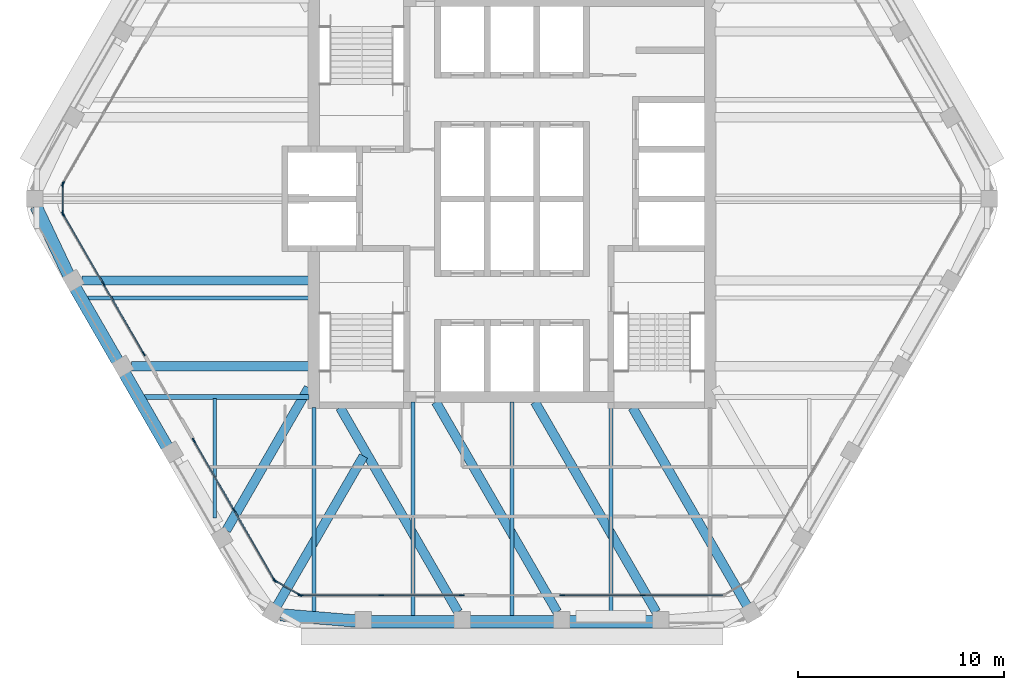
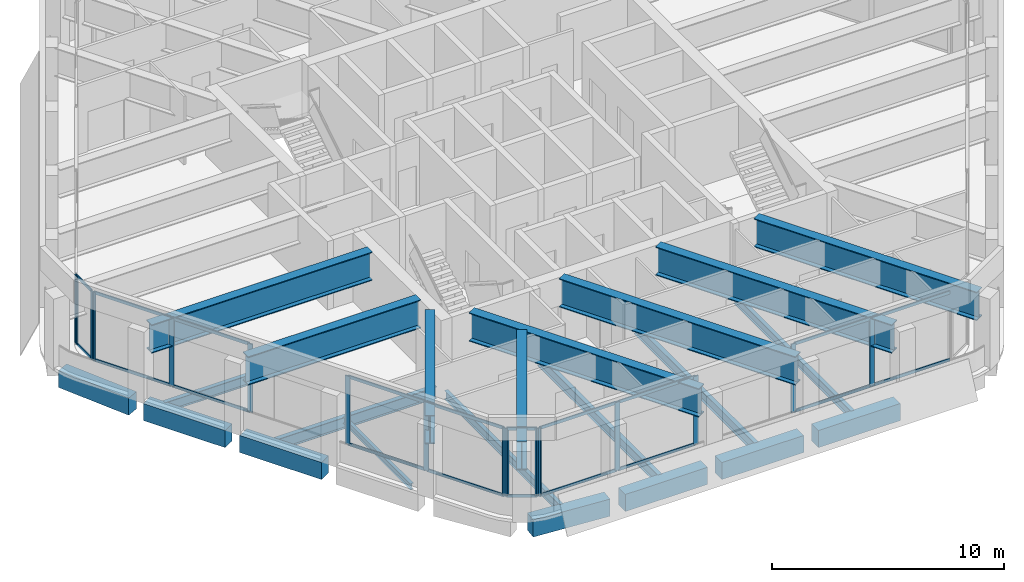
# One storey, part 2 of 14: 36 members, 22 beams, 7 elements without a shape of their own.
"""IFC4 building model written with IfcOpenShell, lengths in metres."""

from ifc_helpers import new_model, si_unit, direction, frame, origin, origin_2d, place, context, subcontext, project, spatial, rectangle, i_section, extrude, material, material_profile, profile_set, type_object, element, aggregate, save


model = new_model("IFC4")

# Units and contexts
model_context = context("Model", 3, precision=1e-05, world=origin(), true_north=direction((0.0, 1.0)))
body_context = subcontext(model_context, "Body", "Model", "MODEL_VIEW")
ifc_project = project(units=[si_unit("LENGTHUNIT", "METRE"), si_unit("AREAUNIT", "SQUARE_METRE"), si_unit("VOLUMEUNIT", "CUBIC_METRE"), si_unit("PLANEANGLEUNIT", "RADIAN"), si_unit("MASSUNIT", "GRAM", prefix="KILO")], contexts=[model_context])

# Site, building, storey
site_placement = place(None, origin())
site = spatial("IfcSite", under=ifc_project, at=site_placement, CompositionType="ELEMENT")
building_placement = place(site_placement, origin())
building = spatial("IfcBuilding", under=site, at=building_placement, Name="Kolab Exchange Tower", CompositionType="ELEMENT")
storey_placement = place(building_placement, frame((0.0, 0.0, 293.0)))
storey = spatial("IfcBuildingStorey", under=building, at=storey_placement, Name="L66", CompositionType="ELEMENT", Elevation=293.0)

# Beams
ifc_material_1 = material(Name="Steel S355", Category="steel")
ifc_material_profile_1 = material_profile(ifc_material_1, i_section(OverallWidth=0.1650390625, OverallDepth=0.31005859375, WebThickness=0.005859375, FlangeThickness=0.009765625, at=origin_2d()), Name="W310X39")
ifc_profile_set_1 = profile_set([ifc_material_profile_1], Name="Steel S355")
beam_type_1 = type_object("IfcBeamType", Name="FLOOR BEAM W310X39", PredefinedType="BEAM", material=ifc_profile_set_1)
beam_1_placement = place(storey_placement, frame((-14.39990234375, -15.4677734375, -0.304931640625), z_axis=(0.0, 1.0, 0.0), x_axis=(-1.0, 0.0, 0.0)))
element("IfcBeam", 1, at=beam_1_placement, inside=storey, type_object=beam_type_1, Name="beam/L66/fr/003", PredefinedType="BEAM", context=body_context, shape_type="SweptSolid", body=[
    extrude(i_section(OverallWidth=0.1650390625, OverallDepth=0.31005859375, WebThickness=0.005859375, FlangeThickness=0.009765625, at=origin_2d()), origin(), (0.0, 0.0, 1.0), 5.793701171875),
])
ifc_material_profile_2 = material_profile(ifc_material_1, i_section(OverallWidth=0.18994140625, OverallDepth=0.45703125, WebThickness=0.009033203125, FlangeThickness=0.014404296875, at=origin_2d()), Name="W460X74")
ifc_profile_set_2 = profile_set([ifc_material_profile_2], Name="Steel S355")
beam_type_2 = type_object("IfcBeamType", Name="FLOOR BEAM W460X74", PredefinedType="BEAM", material=ifc_profile_set_2)
beam_2_placement = place(storey_placement, frame((-9.60009765625, -20.027099609375, -0.37841796875), z_axis=(0.0, 1.0, 0.0), x_axis=(-1.0, 0.0, 0.0)))
element("IfcBeam", 2, at=beam_2_placement, inside=storey, type_object=beam_type_2, Name="beam/L66/fr/005", PredefinedType="BEAM", context=body_context, shape_type="SweptSolid", body=[
    extrude(i_section(OverallWidth=0.18994140625, OverallDepth=0.45703125, WebThickness=0.009033203125, FlangeThickness=0.014404296875, at=origin_2d()), origin(), (0.0, 0.0, 1.0), 9.9169921875),
])
beam_3_placement = place(storey_placement, frame((4.800048828125, -20.224609375, -0.37841796875), z_axis=(0.0, 1.0, 0.0), x_axis=(-1.0, 0.0, 0.0)))
element("IfcBeam", 3, at=beam_3_placement, inside=storey, type_object=beam_type_2, Name="beam/L66/fr/011", PredefinedType="BEAM", context=body_context, shape_type="SweptSolid", body=[
    extrude(i_section(OverallWidth=0.18994140625, OverallDepth=0.45703125, WebThickness=0.009033203125, FlangeThickness=0.014404296875, at=origin_2d()), origin(), (0.0, 0.0, 1.0), 10.114501953125),
])
ifc_material_profile_3 = material_profile(ifc_material_1, i_section(OverallWidth=0.208984375, OverallDepth=0.532958984375, WebThickness=0.01025390625, FlangeThickness=0.015625, at=origin_2d()), Name="W530X92")
ifc_profile_set_3 = profile_set([ifc_material_profile_3], Name="Steel S355")
beam_type_3 = type_object("IfcBeamType", Name="FLOOR BEAM W530X92", PredefinedType="BEAM", material=ifc_profile_set_3)
beam_4_placement = place(storey_placement, frame((-20.575927734375, -4.800048828125, -0.41650390625), z_axis=(1.0, 0.0, 0.0), x_axis=(0.0, 1.0, 0.0)))
element("IfcBeam", 4, at=beam_4_placement, inside=storey, type_object=beam_type_3, Name="beam/L66/fr/001", PredefinedType="BEAM", context=body_context, shape_type="SweptSolid", body=[
    extrude(i_section(OverallWidth=0.208984375, OverallDepth=0.532958984375, WebThickness=0.01025390625, FlangeThickness=0.015625, at=origin_2d()), origin(), (0.0, 0.0, 1.0), 10.740966796875),
])
for number, where, z_axis, x_axis, name in (
    (5, (-4.800048828125, -20.224609375, -0.41650390625), (0.0, 1.0, 0.0), (-1.0, 0.0, 0.0), "beam/L66/fr/007"),
    (6, (0.0, -20.224609375, -0.41650390625), (0.0, 1.0, 0.0), (-1.0, 0.0, 0.0), "beam/L66/fr/009"),
):
    element("IfcBeam", number, at=place(storey_placement, frame(where, z_axis=z_axis, x_axis=x_axis)), inside=storey, type_object=beam_type_3, Name=name, PredefinedType="BEAM", context=body_context, shape_type="SweptSolid", body=[
        extrude(i_section(OverallWidth=0.208984375, OverallDepth=0.532958984375, WebThickness=0.01025390625, FlangeThickness=0.015625, at=origin_2d()), origin(), (0.0, 0.0, 1.0), 10.3896484375),
    ])
ifc_material_profile_4 = material_profile(ifc_material_1, i_section(OverallWidth=0.22802734375, OverallDepth=0.60791015625, WebThickness=0.01123046875, FlangeThickness=0.017333984375, at=origin_2d()), Name="W610X113")
ifc_profile_set_4 = profile_set([ifc_material_profile_4], Name="Steel S355")
beam_type_4 = type_object("IfcBeamType", Name="FLOOR GIRDER W610X113", PredefinedType="BEAM", material=ifc_profile_set_4)
beam_5_placement = place(storey_placement, frame((-17.8046875, -9.60009765625, -0.4541015625), z_axis=(1.0, 0.0, 0.0), x_axis=(0.0, 1.0, 0.0)))
element("IfcBeam", 7, at=beam_5_placement, inside=storey, type_object=beam_type_4, Name="beam/L66/gd/000", PredefinedType="BEAM", context=body_context, shape_type="SweptSolid", body=[
    extrude(i_section(OverallWidth=0.22802734375, OverallDepth=0.60791015625, WebThickness=0.01123046875, FlangeThickness=0.017333984375, at=origin_2d()), origin(), (0.0, 0.0, 1.0), 7.9697265625),
])
ifc_material_2 = material(Name="Concrete C50/60", Category="concrete")
ifc_material_profile_5 = material_profile(ifc_material_2, rectangle(XDim=0.60009765625, YDim=0.89990234375, at=origin_2d()), Name="RC600X900")
ifc_profile_set_5 = profile_set([ifc_material_profile_5], Name="Concrete C50/60")
beam_type_5 = type_object("IfcBeamType", Name="SPANDREL BEAM 600X900 C50/60", PredefinedType="BEAM", material=ifc_profile_set_5)
for number, where, z_axis, x_axis, name in (
    (8, (6.840087890625, -20.484619140625, -0.60009765625), (-1.0, 0.0, 0.0), (0.0, -1.0, 0.0), "beam/L66/sp/F4-02"),
    (9, (2.0400390625, -20.484619140625, -0.60009765625), (-1.0, 0.0, 0.0), (0.0, -1.0, 0.0), "beam/L66/sp/F4-03"),
    (10, (-2.760009765625, -20.484619140625, -0.60009765625), (-1.0, 0.0, 0.0), (0.0, -1.0, 0.0), "beam/L66/sp/F4-04"),
):
    element("IfcBeam", number, at=place(storey_placement, frame(where, z_axis=z_axis, x_axis=x_axis)), inside=storey, type_object=beam_type_5, Name=name, PredefinedType="BEAM", context=body_context, shape_type="SweptSolid", body=[
        extrude(rectangle(XDim=0.60009765625, YDim=0.89990234375, at=origin_2d()), origin(), (0.0, 0.0, 1.0), 4.080078125),
    ])
beam_6_placement = place(storey_placement, frame((-7.56005859375, -20.455078125, -0.60009765625), z_axis=(-0.996666751878, 0.081580547323, 0.0), x_axis=(-0.081580547323, -0.996666751878, 0.0)))
element("IfcBeam", 11, at=beam_6_placement, inside=storey, type_object=beam_type_5, Name="beam/L66/sp/F4-05", PredefinedType="BEAM", context=body_context, shape_type="SweptSolid", body=[
    extrude(rectangle(XDim=0.60009765625, YDim=0.89990234375, at=origin_2d()), origin(), (0.0, 0.0, 1.0), 3.6689453125),
])
for number, where, z_axis, x_axis, name in (
    (12, (-16.72021484375, -12.009033203125, -0.60009765625), (-0.500000428765, 0.866025156237, 0.0), (-0.866025156237, -0.500000428765, 0.0), "beam/L66/sp/F5-03"),
    (13, (-19.1201171875, -7.85205078125, -0.60009765625), (-0.500000428765, 0.866025156237, 0.0), (-0.866025156237, -0.500000428765, 0.0), "beam/L66/sp/F5-04"),
):
    element("IfcBeam", number, at=place(storey_placement, frame(where, z_axis=z_axis, x_axis=x_axis)), inside=storey, type_object=beam_type_5, Name=name, PredefinedType="BEAM", context=body_context, shape_type="SweptSolid", body=[
        extrude(rectangle(XDim=0.60009765625, YDim=0.89990234375, at=origin_2d()), origin(), (0.0, 0.0, 1.0), 4.080078125),
    ])
beam_7_placement = place(storey_placement, frame((-21.49462890625, -3.68017578125, -0.60009765625), z_axis=(-0.427677251998, 0.903931506323, 0.0), x_axis=(-0.903931506323, -0.427677251998, 0.0)))
element("IfcBeam", 14, at=beam_7_placement, inside=storey, type_object=beam_type_5, Name="beam/L66/sp/F5-05", PredefinedType="BEAM", context=body_context, shape_type="SweptSolid", body=[
    extrude(rectangle(XDim=0.60009765625, YDim=0.89990234375, at=origin_2d()), origin(), (0.0, 0.0, 1.0), 3.6689453125),
])
ifc_material_profile_6 = material_profile(ifc_material_1, i_section(OverallWidth=0.449951171875, OverallDepth=1.5, WebThickness=0.028076171875, FlangeThickness=0.044921875, at=origin_2d()), Name="PG1500X450")
ifc_profile_set_6 = profile_set([ifc_material_profile_6], Name="Steel S355")
beam_type_6 = type_object("IfcBeamType", Name="TRANSFER GIRDER PG1500X450", PredefinedType="BEAM", material=ifc_profile_set_6)
beam_8_placement = place(storey_placement, frame((5.840087890625, -10.115478515625, 2.85009765625), z_axis=(0.500001167627, -0.866024729653, 0.0), x_axis=(0.866024729653, 0.500001167627, 0.0)))
element("IfcBeam", 15, at=beam_8_placement, inside=storey, type_object=beam_type_6, Name="beam/L66/cg/F4-01", PredefinedType="BEAM", context=body_context, shape_type="SweptSolid", body=[
    extrude(i_section(OverallWidth=0.449951171875, OverallDepth=1.5, WebThickness=0.028076171875, FlangeThickness=0.044921875, at=origin_2d()), origin(), (0.0, 0.0, 1.0), 11.095703125),
])
for number, where, z_axis, x_axis, name in (
    (16, (1.1123046875, -9.84033203125, 2.85009765625), (0.499992759424, -0.866029584092, 0.0), (0.866029584092, 0.499992759424, 0.0), "beam/L66/cg/F4-02"),
    (17, (-3.687744140625, -9.84033203125, 2.85009765625), (0.500008338019, -0.866020589773, 0.0), (0.866020589773, 0.500008338019, 0.0), "beam/L66/cg/F4-03"),
):
    element("IfcBeam", number, at=place(storey_placement, frame(where, z_axis=z_axis, x_axis=x_axis)), inside=storey, type_object=beam_type_6, Name=name, PredefinedType="BEAM", context=body_context, shape_type="SweptSolid", body=[
        extrude(i_section(OverallWidth=0.449951171875, OverallDepth=1.5, WebThickness=0.028076171875, FlangeThickness=0.044921875, at=origin_2d()), origin(), (0.0, 0.0, 1.0), 11.753662109375),
    ])
beam_9_placement = place(storey_placement, frame((-8.3291015625, -10.115478515625, 2.85009765625), z_axis=(0.500019357106, -0.866014227665, 0.0), x_axis=(0.866014227665, 0.500019357106, 0.0)))
element("IfcBeam", 18, at=beam_9_placement, inside=storey, type_object=beam_type_6, Name="beam/L66/cg/F4-04", PredefinedType="BEAM", context=body_context, shape_type="SweptSolid", body=[
    extrude(i_section(OverallWidth=0.449951171875, OverallDepth=1.5, WebThickness=0.028076171875, FlangeThickness=0.044921875, at=origin_2d()), origin(), (0.0, 0.0, 1.0), 11.43603515625),
])
beam_10_placement = place(storey_placement, frame((-7.1943359375, -12.461181640625, 2.85009765625), z_axis=(-0.500005504679, -0.866022225633, 0.0), x_axis=(0.866022225633, -0.500005504679, 0.0)))
element("IfcBeam", 19, at=beam_10_placement, inside=storey, type_object=beam_type_6, Name="beam/L66/cg/F5-01", PredefinedType="BEAM", context=body_context, shape_type="SweptSolid", body=[
    extrude(i_section(OverallWidth=0.449951171875, OverallDepth=1.5, WebThickness=0.028076171875, FlangeThickness=0.044921875, at=origin_2d()), origin(), (0.0, 0.0, 1.0), 8.38720703125),
])
beam_11_placement = place(storey_placement, frame((-9.85498046875, -9.155517578125, 2.85009765625), z_axis=(-0.499994510044, -0.866028573389, 0.0), x_axis=(0.866028573389, -0.499994510044, 0.0)))
element("IfcBeam", 20, at=beam_11_placement, inside=storey, type_object=beam_type_6, Name="beam/L66/cg/F5-02", PredefinedType="BEAM", context=body_context, shape_type="SweptSolid", body=[
    extrude(i_section(OverallWidth=0.449951171875, OverallDepth=1.5, WebThickness=0.028076171875, FlangeThickness=0.044921875, at=origin_2d()), origin(), (0.0, 0.0, 1.0), 7.97509765625),
])
beam_12_placement = place(storey_placement, frame((-9.8349609375, -8.11376953125, 2.85009765625), z_axis=(-1.0, 0.0, 0.0), x_axis=(0.0, -1.0, 0.0)))
element("IfcBeam", 21, at=beam_12_placement, inside=storey, type_object=beam_type_6, Name="beam/L66/cg/F5-03", PredefinedType="BEAM", context=body_context, shape_type="SweptSolid", body=[
    extrude(i_section(OverallWidth=0.449951171875, OverallDepth=1.5, WebThickness=0.028076171875, FlangeThickness=0.044921875, at=origin_2d()), origin(), (0.0, 0.0, 1.0), 8.5966796875),
])
beam_13_placement = place(storey_placement, frame((-9.8349609375, -3.956787109375, 2.85009765625), z_axis=(-1.0, 0.0, 0.0), x_axis=(0.0, -1.0, 0.0)))
element("IfcBeam", 22, at=beam_13_placement, inside=storey, type_object=beam_type_6, Name="beam/L66/cg/F5-04", PredefinedType="BEAM", context=body_context, shape_type="SweptSolid", body=[
    extrude(i_section(OverallWidth=0.449951171875, OverallDepth=1.5, WebThickness=0.028076171875, FlangeThickness=0.044921875, at=origin_2d()), origin(), (0.0, 0.0, 1.0), 10.996826171875),
])

# Curtain wall, members
ifc_material_3 = material(Name="Aluminium EN AW-6063 T6", Category="aluminium")
curtain_wall_type = type_object("IfcCurtainWallType", Name="UNITISED HIGH ZONE CURTAIN WALL", PredefinedType="NOTDEFINED", material=ifc_material_3)
curtain_wall_1_placement = place(storey_placement, origin())
curtain_wall_1 = element("IfcCurtainWall", 23, at=curtain_wall_1_placement, inside=storey, type_object=curtain_wall_type, Name="cw/L66/F4-1", PredefinedType="NOTDEFINED")
ifc_material_profile_7 = material_profile(ifc_material_3, rectangle(XDim=0.06005859375, YDim=0.239990234375, at=origin_2d()), Name="RECT 60X240")
ifc_profile_set_7 = profile_set([ifc_material_profile_7], Name="Aluminium EN AW-6063 T6")
member_type_1 = type_object("IfcMemberType", Name="UNITISED HIGH ZONE MULLION 60 X 240", PredefinedType="MULLION", material=ifc_profile_set_7)
member_1_placement = place(storey_placement, frame((6.333984375, -19.20458984375, 0.0), z_axis=(0.0, 0.0, 1.0), x_axis=(0.0, -1.0, 0.0)))
member_1 = element("IfcMember", 24, at=member_1_placement, type_object=member_type_1, Name="CW4 mullion 2", PredefinedType="MULLION", context=body_context, shape_type="SweptSolid", body=[
    extrude(rectangle(XDim=0.06005859375, YDim=0.239990234375, at=origin_2d()), origin(), (0.0, 0.0, 1.0), 3.60009765625),
])
member_2_placement = place(storey_placement, frame((2.429931640625, -19.20458984375, 0.0), z_axis=(0.0, 0.0, 1.0), x_axis=(0.0, -1.0, 0.0)))
member_2 = element("IfcMember", 25, at=member_2_placement, type_object=member_type_1, Name="CW4 mullion 3", PredefinedType="MULLION", context=body_context, shape_type="SweptSolid", body=[
    extrude(rectangle(XDim=0.06005859375, YDim=0.239990234375, at=origin_2d()), origin(), (0.0, 0.0, 1.0), 3.60009765625),
])

curtain_wall_2_placement = place(storey_placement, origin())
curtain_wall_2 = element("IfcCurtainWall", 26, at=curtain_wall_2_placement, inside=storey, type_object=curtain_wall_type, Name="cw/L66/F4-2", PredefinedType="NOTDEFINED")
member_3_placement = place(storey_placement, frame((-2.429931640625, -19.20458984375, 0.0), z_axis=(0.0, 0.0, 1.0), x_axis=(0.0, -1.0, 0.0)))
member_3 = element("IfcMember", 27, at=member_3_placement, type_object=member_type_1, Name="CW4 mullion 1", PredefinedType="MULLION", context=body_context, shape_type="SweptSolid", body=[
    extrude(rectangle(XDim=0.06005859375, YDim=0.239990234375, at=origin_2d()), origin(), (0.0, 0.0, 1.0), 3.60009765625),
])
member_4_placement = place(storey_placement, frame((-6.333984375, -19.20458984375, 0.0), z_axis=(0.0, 0.0, 1.0), x_axis=(0.0, -1.0, 0.0)))
member_4 = element("IfcMember", 28, at=member_4_placement, type_object=member_type_1, Name="CW4 mullion 2", PredefinedType="MULLION", context=body_context, shape_type="SweptSolid", body=[
    extrude(rectangle(XDim=0.06005859375, YDim=0.239990234375, at=origin_2d()), origin(), (0.0, 0.0, 1.0), 3.60009765625),
])
member_5_placement = place(storey_placement, frame((-10.238037109375, -19.20458984375, 0.0), z_axis=(0.0, 0.0, 1.0), x_axis=(0.0, -1.0, 0.0)))
member_5 = element("IfcMember", 29, at=member_5_placement, type_object=member_type_1, Name="CW4 mullion 3", PredefinedType="MULLION", context=body_context, shape_type="SweptSolid", body=[
    extrude(rectangle(XDim=0.06005859375, YDim=0.239990234375, at=origin_2d()), origin(), (0.0, 0.0, 1.0), 3.60009765625),
])

curtain_wall_3_placement = place(storey_placement, origin())
curtain_wall_3 = element("IfcCurtainWall", 30, at=curtain_wall_3_placement, inside=storey, type_object=curtain_wall_type, Name="cw/L66/F5-1", PredefinedType="NOTDEFINED")
member_6_placement = place(storey_placement, frame((-11.5126953125, -18.46875, 0.0), z_axis=(0.0, 0.0, 1.0), x_axis=(-0.866025385493, -0.500000031681, 0.0)))
member_6 = element("IfcMember", 31, at=member_6_placement, type_object=member_type_1, Name="CW4 mullion 1", PredefinedType="MULLION", context=body_context, shape_type="SweptSolid", body=[
    extrude(rectangle(XDim=0.06005859375, YDim=0.239990234375, at=origin_2d()), origin(), (0.0, 0.0, 1.0), 3.60009765625),
])
member_7_placement = place(storey_placement, frame((-13.464599609375, -15.087646484375, 0.0), z_axis=(0.0, 0.0, 1.0), x_axis=(-0.866025385493, -0.500000031681, 0.0)))
member_7 = element("IfcMember", 32, at=member_7_placement, type_object=member_type_1, Name="CW4 mullion 2", PredefinedType="MULLION", context=body_context, shape_type="SweptSolid", body=[
    extrude(rectangle(XDim=0.06005859375, YDim=0.239990234375, at=origin_2d()), origin(), (0.0, 0.0, 1.0), 3.60009765625),
])
member_8_placement = place(storey_placement, frame((-15.416748046875, -11.706787109375, 0.0), z_axis=(0.0, 0.0, 1.0), x_axis=(-0.866025385493, -0.500000031681, 0.0)))
member_8 = element("IfcMember", 33, at=member_8_placement, type_object=member_type_1, Name="CW4 mullion 3", PredefinedType="MULLION", context=body_context, shape_type="SweptSolid", body=[
    extrude(rectangle(XDim=0.06005859375, YDim=0.239990234375, at=origin_2d()), origin(), (0.0, 0.0, 1.0), 3.60009765625),
])

curtain_wall_4_placement = place(storey_placement, origin())
curtain_wall_4 = element("IfcCurtainWall", 34, at=curtain_wall_4_placement, inside=storey, type_object=curtain_wall_type, Name="cw/L66/F5-2", PredefinedType="NOTDEFINED")
member_9_placement = place(storey_placement, frame((-17.8466796875, -7.497802734375, 0.0), z_axis=(0.0, 0.0, 1.0), x_axis=(-0.866025440524, -0.499999936366, 0.0)))
member_9 = element("IfcMember", 35, at=member_9_placement, type_object=member_type_1, Name="CW4 mullion 1", PredefinedType="MULLION", context=body_context, shape_type="SweptSolid", body=[
    extrude(rectangle(XDim=0.06005859375, YDim=0.239990234375, at=origin_2d()), origin(), (0.0, 0.0, 1.0), 3.60009765625),
])
member_10_placement = place(storey_placement, frame((-19.798583984375, -4.116943359375, 0.0), z_axis=(0.0, 0.0, 1.0), x_axis=(-0.866025440524, -0.499999936366, 0.0)))
member_10 = element("IfcMember", 36, at=member_10_placement, type_object=member_type_1, Name="CW4 mullion 2", PredefinedType="MULLION", context=body_context, shape_type="SweptSolid", body=[
    extrude(rectangle(XDim=0.06005859375, YDim=0.239990234375, at=origin_2d()), origin(), (0.0, 0.0, 1.0), 3.60009765625),
])
member_11_placement = place(storey_placement, frame((-21.750732421875, -0.736083984375, 0.0), z_axis=(0.0, 0.0, 1.0), x_axis=(-0.866025440524, -0.499999936366, 0.0)))
member_11 = element("IfcMember", 37, at=member_11_placement, type_object=member_type_1, Name="CW4 mullion 3", PredefinedType="MULLION", context=body_context, shape_type="SweptSolid", body=[
    extrude(rectangle(XDim=0.06005859375, YDim=0.239990234375, at=origin_2d()), origin(), (0.0, 0.0, 1.0), 3.60009765625),
])

# Curtain wall, member
curtain_wall_5_placement = place(storey_placement, origin())
curtain_wall_5 = element("IfcCurtainWall", 38, at=curtain_wall_5_placement, inside=storey, type_object=curtain_wall_type, Name="cw/L66/F6-1", PredefinedType="NOTDEFINED")
member_12_placement = place(storey_placement, frame((-21.750732421875, 0.736083984375, 0.0), z_axis=(0.0, 0.0, 1.0), x_axis=(-0.866025440524, 0.499999936366, 0.0)))
member_12 = element("IfcMember", 39, at=member_12_placement, type_object=member_type_1, Name="CW4 mullion 1", PredefinedType="MULLION", context=body_context, shape_type="SweptSolid", body=[
    extrude(rectangle(XDim=0.06005859375, YDim=0.239990234375, at=origin_2d()), origin(), (0.0, 0.0, 1.0), 3.60009765625),
])
aggregate(curtain_wall_5, [member_12])

# Curtain wall, members
curtain_wall_6_placement = place(storey_placement, origin())
curtain_wall_6 = element("IfcCurtainWall", 40, at=curtain_wall_6_placement, inside=storey, type_object=curtain_wall_type, Name="cw/L66/F4F5-corner", PredefinedType="NOTDEFINED")
member_13_placement = place(storey_placement, frame((-10.2939453125, -19.189697265625, 0.0), z_axis=(0.0, 0.0, 1.0), x_axis=(-0.50000002237, -0.866025390869, 0.0)))
member_13 = element("IfcMember", 41, at=member_13_placement, type_object=member_type_1, Name="CW4 mullion 1", PredefinedType="MULLION", context=body_context, shape_type="SweptSolid", body=[
    extrude(rectangle(XDim=0.06005859375, YDim=0.239990234375, at=origin_2d()), origin(), (0.0, 0.0, 1.0), 3.60009765625),
])
member_14_placement = place(storey_placement, frame((-11.4716796875, -18.509521484375, 0.0), z_axis=(0.0, 0.0, 1.0), x_axis=(-0.50000002237, -0.866025390869, 0.0)))
member_14 = element("IfcMember", 42, at=member_14_placement, type_object=member_type_1, Name="CW4 mullion 2", PredefinedType="MULLION", context=body_context, shape_type="SweptSolid", body=[
    extrude(rectangle(XDim=0.06005859375, YDim=0.239990234375, at=origin_2d()), origin(), (0.0, 0.0, 1.0), 3.60009765625),
])

curtain_wall_7_placement = place(storey_placement, origin())
curtain_wall_7 = element("IfcCurtainWall", 43, at=curtain_wall_7_placement, inside=storey, type_object=curtain_wall_type, Name="cw/L66/F5F6-corner", PredefinedType="NOTDEFINED")
member_15_placement = place(storey_placement, frame((-21.765625, -0.679931640625, 0.0), z_axis=(0.0, 0.0, 1.0), x_axis=(-1.0, 0.0, 0.0)))
member_15 = element("IfcMember", 44, at=member_15_placement, type_object=member_type_1, Name="CW4 mullion 1", PredefinedType="MULLION", context=body_context, shape_type="SweptSolid", body=[
    extrude(rectangle(XDim=0.06005859375, YDim=0.239990234375, at=origin_2d()), origin(), (0.0, 0.0, 1.0), 3.60009765625),
])
member_16_placement = place(storey_placement, frame((-21.765625, 0.679931640625, 0.0), z_axis=(0.0, 0.0, 1.0), x_axis=(-1.0, 0.0, 0.0)))
member_16 = element("IfcMember", 45, at=member_16_placement, type_object=member_type_1, Name="CW4 mullion 2", PredefinedType="MULLION", context=body_context, shape_type="SweptSolid", body=[
    extrude(rectangle(XDim=0.06005859375, YDim=0.239990234375, at=origin_2d()), origin(), (0.0, 0.0, 1.0), 3.60009765625),
])

# Member
ifc_material_profile_8 = material_profile(ifc_material_3, rectangle(XDim=0.06005859375, YDim=0.159912109375, at=origin_2d()), Name="RECT 60X160")
ifc_profile_set_8 = profile_set([ifc_material_profile_8], Name="Aluminium EN AW-6063 T6")
member_type_2 = type_object("IfcMemberType", Name="UNITISED HIGH ZONE TRANSOM 60 X 160", PredefinedType="USERDEFINED", material=ifc_profile_set_8)
member_17_placement = place(storey_placement, frame((10.2080078125, -19.20458984375, 0.030029296875), z_axis=(-1.0, 0.0, 0.0), x_axis=(0.0, -1.0, 0.0)))
member_17 = element("IfcMember", 46, at=member_17_placement, type_object=member_type_2, Name="CW4 transom 1.1", ObjectType="TRANSOM", PredefinedType="USERDEFINED", context=body_context, shape_type="SweptSolid", body=[
    extrude(rectangle(XDim=0.06005859375, YDim=0.159912109375, at=origin_2d()), origin(), (0.0, 0.0, 1.0), 3.843994140625),
])

member_18_placement = place(storey_placement, frame((10.2080078125, -19.20458984375, 3.570068359375), z_axis=(-1.0, 0.0, 0.0), x_axis=(0.0, -1.0, 0.0)))
member_18 = element("IfcMember", 47, at=member_18_placement, type_object=member_type_2, Name="CW4 transom 1.2", ObjectType="TRANSOM", PredefinedType="USERDEFINED", context=body_context, shape_type="SweptSolid", body=[
    extrude(rectangle(XDim=0.06005859375, YDim=0.159912109375, at=origin_2d()), origin(), (0.0, 0.0, 1.0), 3.843994140625),
])

member_19_placement = place(storey_placement, frame((6.303955078125, -19.20458984375, 0.030029296875), z_axis=(-1.0, 0.0, 0.0), x_axis=(0.0, -1.0, 0.0)))
member_19 = element("IfcMember", 48, at=member_19_placement, type_object=member_type_2, Name="CW4 transom 2.1", ObjectType="TRANSOM", PredefinedType="USERDEFINED", context=body_context, shape_type="SweptSolid", body=[
    extrude(rectangle(XDim=0.06005859375, YDim=0.159912109375, at=origin_2d()), origin(), (0.0, 0.0, 1.0), 3.843994140625),
])

member_20_placement = place(storey_placement, frame((6.303955078125, -19.20458984375, 3.570068359375), z_axis=(-1.0, 0.0, 0.0), x_axis=(0.0, -1.0, 0.0)))
member_20 = element("IfcMember", 49, at=member_20_placement, type_object=member_type_2, Name="CW4 transom 2.2", ObjectType="TRANSOM", PredefinedType="USERDEFINED", context=body_context, shape_type="SweptSolid", body=[
    extrude(rectangle(XDim=0.06005859375, YDim=0.159912109375, at=origin_2d()), origin(), (0.0, 0.0, 1.0), 3.843994140625),
])

aggregate(curtain_wall_1, [member_1, member_2, member_17, member_18, member_19, member_20])

member_21_placement = place(storey_placement, frame((-2.4599609375, -19.20458984375, 0.030029296875), z_axis=(-1.0, 0.0, 0.0), x_axis=(0.0, -1.0, 0.0)))
member_21 = element("IfcMember", 50, at=member_21_placement, type_object=member_type_2, Name="CW4 transom 1.1", ObjectType="TRANSOM", PredefinedType="USERDEFINED", context=body_context, shape_type="SweptSolid", body=[
    extrude(rectangle(XDim=0.06005859375, YDim=0.159912109375, at=origin_2d()), origin(), (0.0, 0.0, 1.0), 3.843994140625),
])

member_22_placement = place(storey_placement, frame((-2.4599609375, -19.20458984375, 3.570068359375), z_axis=(-1.0, 0.0, 0.0), x_axis=(0.0, -1.0, 0.0)))
member_22 = element("IfcMember", 51, at=member_22_placement, type_object=member_type_2, Name="CW4 transom 1.2", ObjectType="TRANSOM", PredefinedType="USERDEFINED", context=body_context, shape_type="SweptSolid", body=[
    extrude(rectangle(XDim=0.06005859375, YDim=0.159912109375, at=origin_2d()), origin(), (0.0, 0.0, 1.0), 3.843994140625),
])

member_23_placement = place(storey_placement, frame((-6.364013671875, -19.20458984375, 0.030029296875), z_axis=(-1.0, 0.0, 0.0), x_axis=(0.0, -1.0, 0.0)))
member_23 = element("IfcMember", 52, at=member_23_placement, type_object=member_type_2, Name="CW4 transom 2.1", ObjectType="TRANSOM", PredefinedType="USERDEFINED", context=body_context, shape_type="SweptSolid", body=[
    extrude(rectangle(XDim=0.06005859375, YDim=0.159912109375, at=origin_2d()), origin(), (0.0, 0.0, 1.0), 3.843994140625),
])

member_24_placement = place(storey_placement, frame((-6.364013671875, -19.20458984375, 3.570068359375), z_axis=(-1.0, 0.0, 0.0), x_axis=(0.0, -1.0, 0.0)))
member_24 = element("IfcMember", 53, at=member_24_placement, type_object=member_type_2, Name="CW4 transom 2.2", ObjectType="TRANSOM", PredefinedType="USERDEFINED", context=body_context, shape_type="SweptSolid", body=[
    extrude(rectangle(XDim=0.06005859375, YDim=0.159912109375, at=origin_2d()), origin(), (0.0, 0.0, 1.0), 3.843994140625),
])

aggregate(curtain_wall_2, [member_3, member_4, member_5, member_21, member_22, member_23, member_24])

member_25_placement = place(storey_placement, frame((-11.527587890625, -18.442626953125, 0.030029296875), z_axis=(-0.500039492609, 0.866002601515, 0.0), x_axis=(-0.866002601515, -0.500039492609, 0.0)))
member_25 = element("IfcMember", 54, at=member_25_placement, type_object=member_type_2, Name="CW4 transom 1.1", ObjectType="TRANSOM", PredefinedType="USERDEFINED", context=body_context, shape_type="SweptSolid", body=[
    extrude(rectangle(XDim=0.06005859375, YDim=0.159912109375, at=origin_2d()), origin(), (0.0, 0.0, 1.0), 3.843994140625),
])

member_26_placement = place(storey_placement, frame((-11.527587890625, -18.442626953125, 3.570068359375), z_axis=(-0.500039492609, 0.866002601515, 0.0), x_axis=(-0.866002601515, -0.500039492609, 0.0)))
member_26 = element("IfcMember", 55, at=member_26_placement, type_object=member_type_2, Name="CW4 transom 1.2", ObjectType="TRANSOM", PredefinedType="USERDEFINED", context=body_context, shape_type="SweptSolid", body=[
    extrude(rectangle(XDim=0.06005859375, YDim=0.159912109375, at=origin_2d()), origin(), (0.0, 0.0, 1.0), 3.843994140625),
])

member_27_placement = place(storey_placement, frame((-13.479736328125, -15.061767578125, 0.030029296875), z_axis=(-0.499964356602, 0.866045981532, 0.0), x_axis=(-0.866045981532, -0.499964356602, 0.0)))
member_27 = element("IfcMember", 56, at=member_27_placement, type_object=member_type_2, Name="CW4 transom 2.1", ObjectType="TRANSOM", PredefinedType="USERDEFINED", context=body_context, shape_type="SweptSolid", body=[
    extrude(rectangle(XDim=0.06005859375, YDim=0.159912109375, at=origin_2d()), origin(), (0.0, 0.0, 1.0), 3.843994140625),
])

member_28_placement = place(storey_placement, frame((-13.479736328125, -15.061767578125, 3.570068359375), z_axis=(-0.499964356602, 0.866045981532, 0.0), x_axis=(-0.866045981532, -0.499964356602, 0.0)))
member_28 = element("IfcMember", 57, at=member_28_placement, type_object=member_type_2, Name="CW4 transom 2.2", ObjectType="TRANSOM", PredefinedType="USERDEFINED", context=body_context, shape_type="SweptSolid", body=[
    extrude(rectangle(XDim=0.06005859375, YDim=0.159912109375, at=origin_2d()), origin(), (0.0, 0.0, 1.0), 3.843994140625),
])

aggregate(curtain_wall_3, [member_6, member_7, member_8, member_25, member_26, member_27, member_28])

member_29_placement = place(storey_placement, frame((-17.861572265625, -7.471923828125, 0.030029296875), z_axis=(-0.500011990396, 0.866018481016, 0.0), x_axis=(-0.866018481016, -0.500011990396, 0.0)))
member_29 = element("IfcMember", 58, at=member_29_placement, type_object=member_type_2, Name="CW4 transom 1.1", ObjectType="TRANSOM", PredefinedType="USERDEFINED", context=body_context, shape_type="SweptSolid", body=[
    extrude(rectangle(XDim=0.06005859375, YDim=0.159912109375, at=origin_2d()), origin(), (0.0, 0.0, 1.0), 3.84423828125),
])

member_30_placement = place(storey_placement, frame((-17.861572265625, -7.471923828125, 3.570068359375), z_axis=(-0.500011990396, 0.866018481016, 0.0), x_axis=(-0.866018481016, -0.500011990396, 0.0)))
member_30 = element("IfcMember", 59, at=member_30_placement, type_object=member_type_2, Name="CW4 transom 1.2", ObjectType="TRANSOM", PredefinedType="USERDEFINED", context=body_context, shape_type="SweptSolid", body=[
    extrude(rectangle(XDim=0.06005859375, YDim=0.159912109375, at=origin_2d()), origin(), (0.0, 0.0, 1.0), 3.84423828125),
])

member_31_placement = place(storey_placement, frame((-19.813720703125, -4.0908203125, 0.030029296875), z_axis=(-0.499991857942, 0.866030104553, 0.0), x_axis=(-0.866030104553, -0.499991857942, 0.0)))
member_31 = element("IfcMember", 60, at=member_31_placement, type_object=member_type_2, Name="CW4 transom 2.1", ObjectType="TRANSOM", PredefinedType="USERDEFINED", context=body_context, shape_type="SweptSolid", body=[
    extrude(rectangle(XDim=0.06005859375, YDim=0.159912109375, at=origin_2d()), origin(), (0.0, 0.0, 1.0), 3.84375),
])

member_32_placement = place(storey_placement, frame((-19.813720703125, -4.0908203125, 3.570068359375), z_axis=(-0.499991857942, 0.866030104553, 0.0), x_axis=(-0.866030104553, -0.499991857942, 0.0)))
member_32 = element("IfcMember", 61, at=member_32_placement, type_object=member_type_2, Name="CW4 transom 2.2", ObjectType="TRANSOM", PredefinedType="USERDEFINED", context=body_context, shape_type="SweptSolid", body=[
    extrude(rectangle(XDim=0.06005859375, YDim=0.159912109375, at=origin_2d()), origin(), (0.0, 0.0, 1.0), 3.84375),
])

aggregate(curtain_wall_4, [member_9, member_10, member_11, member_29, member_30, member_31, member_32])

member_33_placement = place(storey_placement, frame((-10.31982421875, -19.174560546875, 0.030029296875), z_axis=(-0.866085525409, 0.49989585183, 0.0), x_axis=(-0.49989585183, -0.866085525409, 0.0)))
member_33 = element("IfcMember", 62, at=member_33_placement, type_object=member_type_2, Name="CW4 transom 1.1", ObjectType="TRANSOM", PredefinedType="USERDEFINED", context=body_context, shape_type="SweptSolid", body=[
    extrude(rectangle(XDim=0.06005859375, YDim=0.159912109375, at=origin_2d()), origin(), (0.0, 0.0, 1.0), 1.300048828125),
])

member_34_placement = place(storey_placement, frame((-10.31982421875, -19.174560546875, 3.570068359375), z_axis=(-0.866085525409, 0.49989585183, 0.0), x_axis=(-0.49989585183, -0.866085525409, 0.0)))
member_34 = element("IfcMember", 63, at=member_34_placement, type_object=member_type_2, Name="CW4 transom 1.2", ObjectType="TRANSOM", PredefinedType="USERDEFINED", context=body_context, shape_type="SweptSolid", body=[
    extrude(rectangle(XDim=0.06005859375, YDim=0.159912109375, at=origin_2d()), origin(), (0.0, 0.0, 1.0), 1.300048828125),
])

aggregate(curtain_wall_6, [member_13, member_14, member_33, member_34])

member_35_placement = place(storey_placement, frame((-21.765625, -0.64990234375, 0.030029296875), z_axis=(0.0, 1.0, 0.0), x_axis=(-1.0, 0.0, 0.0)))
member_35 = element("IfcMember", 64, at=member_35_placement, type_object=member_type_2, Name="CW4 transom 1.1", ObjectType="TRANSOM", PredefinedType="USERDEFINED", context=body_context, shape_type="SweptSolid", body=[
    extrude(rectangle(XDim=0.06005859375, YDim=0.159912109375, at=origin_2d()), origin(), (0.0, 0.0, 1.0), 1.2998046875),
])

member_36_placement = place(storey_placement, frame((-21.765625, -0.64990234375, 3.570068359375), z_axis=(0.0, 1.0, 0.0), x_axis=(-1.0, 0.0, 0.0)))
member_36 = element("IfcMember", 65, at=member_36_placement, type_object=member_type_2, Name="CW4 transom 1.2", ObjectType="TRANSOM", PredefinedType="USERDEFINED", context=body_context, shape_type="SweptSolid", body=[
    extrude(rectangle(XDim=0.06005859375, YDim=0.159912109375, at=origin_2d()), origin(), (0.0, 0.0, 1.0), 1.2998046875),
])

aggregate(curtain_wall_7, [member_15, member_16, member_35, member_36])

save(model, "model.ifc")
